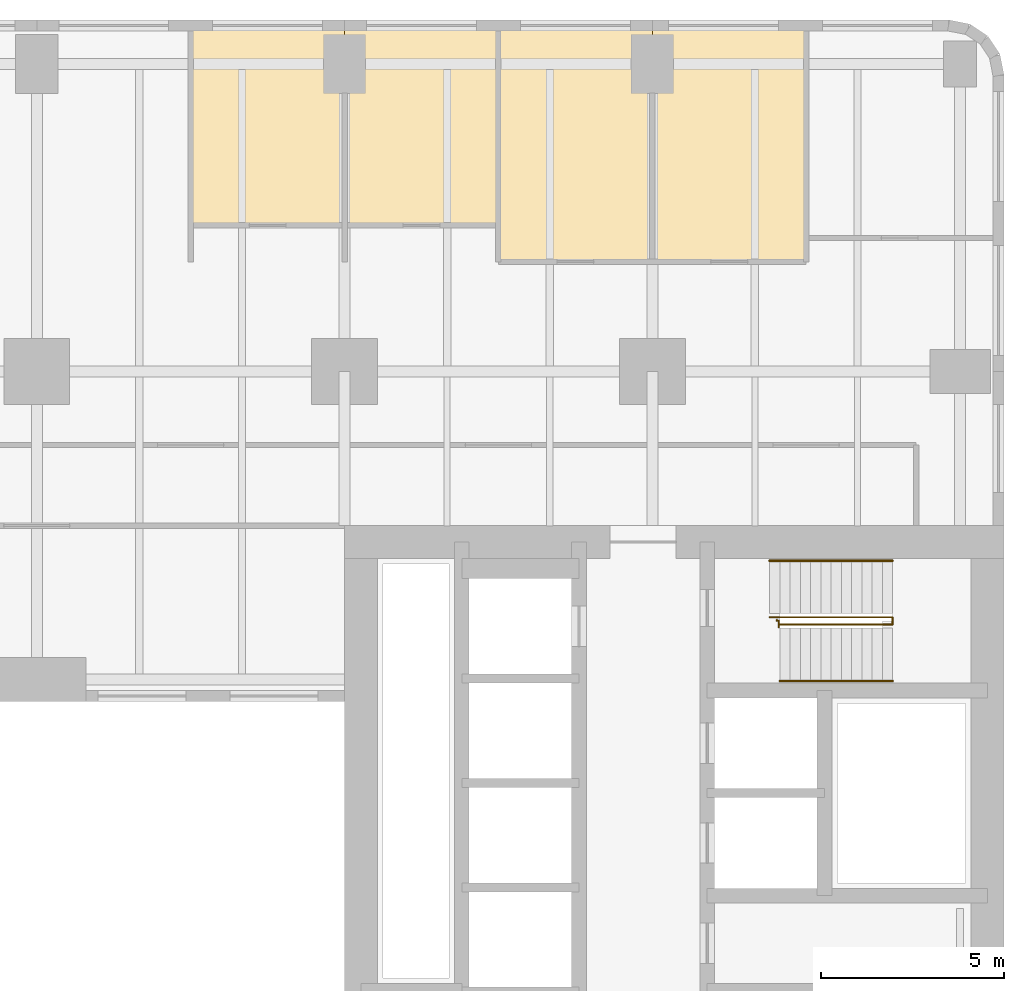
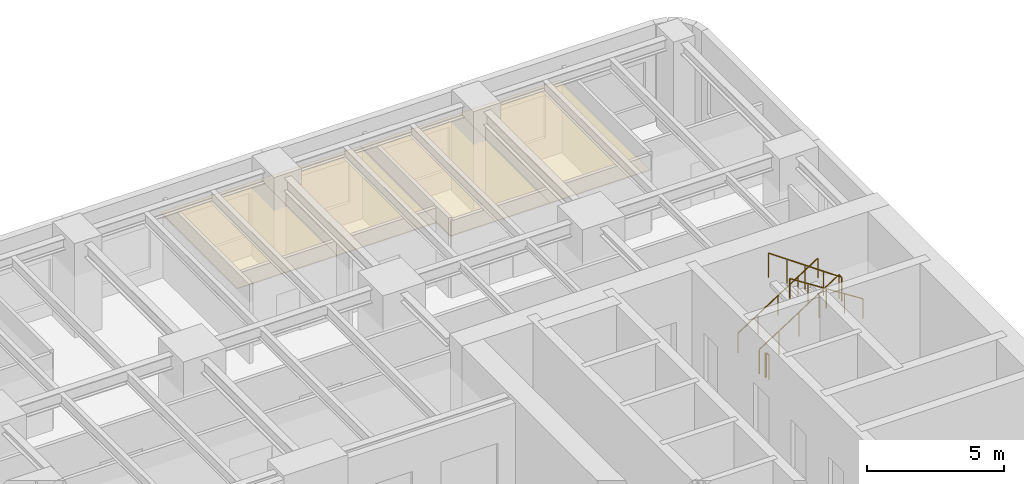
# One storey, part 14 of 14: 4 coverings, 4 railings.
"""IFC4 building model written with IfcOpenShell, lengths in metres."""

from ifc_helpers import new_model, si_unit, direction, frame, origin, origin_2d, place, context, subcontext, project, spatial, polyline, circle, outline, extrude, material, layer, layer_set, type_object, element, save


model = new_model("IFC4")

# Units and contexts
model_context = context("Model", 3, precision=1e-05, world=origin(), true_north=direction((0.0, 1.0)))
body_context = subcontext(model_context, "Body", "Model", "MODEL_VIEW")
ifc_project = project(units=[si_unit("LENGTHUNIT", "METRE"), si_unit("AREAUNIT", "SQUARE_METRE"), si_unit("VOLUMEUNIT", "CUBIC_METRE"), si_unit("PLANEANGLEUNIT", "RADIAN"), si_unit("MASSUNIT", "GRAM", prefix="KILO")], contexts=[model_context])

# Site, building, storey
site_placement = place(None, origin())
site = spatial("IfcSite", under=ifc_project, at=site_placement, CompositionType="ELEMENT")
building_placement = place(site_placement, origin())
building = spatial("IfcBuilding", under=site, at=building_placement, Name="Claustro Exchange Tower", CompositionType="ELEMENT")
storey_placement = place(building_placement, frame((0.0, 0.0, 32.39990234375)))
storey = spatial("IfcBuildingStorey", under=building, at=storey_placement, Name="L07", CompositionType="ELEMENT", Elevation=32.39990234375)

# Coverings
ifc_material_1 = material(Name="Gypsum board ceiling", Category="gypsum board")
ifc_layer = layer(ifc_material_1, 0.02490234375)
ifc_layer_set = layer_set([ifc_layer], Name="Gypsum board ceiling")
covering_type = type_object("IfcCoveringType", Name="CL2 plasterboard ceiling", PredefinedType="CEILING", material=ifc_layer_set)
covering_1_placement = place(storey_placement, frame((0.0, 0.0, 3.0)))
element("IfcCovering", 1, at=covering_1_placement, inside=storey, type_object=covering_type, Name="Ceiling CL2 L07-16", PredefinedType="CEILING", context=body_context, shape_type="SweptSolid", body=[
    extrude(outline(polyline([(42.0, 51.60009765625), (37.800048828125, 51.60009765625), (37.800048828125, 45.0), (42.0, 45.0), (42.0, 51.60009765625)])), origin(), (0.0, 0.0, 1.0), 0.025146484375),
])
covering_2_placement = place(storey_placement, frame((0.0, 0.0, 3.0)))
element("IfcCovering", 2, at=covering_2_placement, inside=storey, type_object=covering_type, Name="Ceiling CL2 L07-17", PredefinedType="CEILING", context=body_context, shape_type="SweptSolid", body=[
    extrude(outline(polyline([(46.199951171875, 51.60009765625), (42.0, 51.60009765625), (42.0, 45.0), (46.199951171875, 45.0), (46.199951171875, 51.60009765625)])), origin(), (0.0, 0.0, 1.0), 0.025146484375),
])
covering_3_placement = place(storey_placement, frame((0.0, 0.0, 3.0)))
element("IfcCovering", 3, at=covering_3_placement, inside=storey, type_object=covering_type, Name="Ceiling CL2 L07-20", PredefinedType="CEILING", context=body_context, shape_type="SweptSolid", body=[
    extrude(outline(polyline([(33.60009765625, 51.60009765625), (29.39990234375, 51.60009765625), (29.39990234375, 46.0), (33.60009765625, 46.0), (33.60009765625, 51.60009765625)])), origin(), (0.0, 0.0, 1.0), 0.025146484375),
])
covering_4_placement = place(storey_placement, frame((0.0, 0.0, 3.0)))
element("IfcCovering", 4, at=covering_4_placement, inside=storey, type_object=covering_type, Name="Ceiling CL2 L07-21", PredefinedType="CEILING", context=body_context, shape_type="SweptSolid", body=[
    extrude(outline(polyline([(37.800048828125, 51.60009765625), (33.60009765625, 51.60009765625), (33.60009765625, 46.0), (37.800048828125, 46.0), (37.800048828125, 51.60009765625)])), origin(), (0.0, 0.0, 1.0), 0.025146484375),
])

# Railings
ifc_material_2 = material(Name="Steel balustrade, painted", Category="steel")
railing_type_1 = type_object("IfcRailingType", Name="GR2 1100 steel stair guard", PredefinedType="GUARDRAIL", material=ifc_material_2)
railing_1_placement = place(storey_placement, frame((45.199951171875, 35.300048828125, 0.18017578125)))
element("IfcRailing", 5, at=railing_1_placement, inside=storey, type_object=railing_type_1, Name="Stair well guard GR2 stair STEB L07", PredefinedType="GUARDRAIL", context=body_context, shape_type="SweptSolid", body=[
    extrude(circle(Radius=0.02392578125, at=origin_2d()), frame((0.0, 0.0, 1.076171875), z_axis=(0.84119634759, 0.0, 0.540729789082), x_axis=(0.0, 1.0, 0.0)), (0.0, 0.0, 1.0), 3.994384765625),
    extrude(circle(Radius=0.02392578125, at=origin_2d()), frame((3.360107421875, 0.0, 3.23583984375), z_axis=(0.0, -1.0, 0.0), x_axis=(1.0, 0.0, 0.0)), (0.0, 0.0, 1.0), 0.199951171875),
    extrude(circle(Radius=0.02392578125, at=origin_2d()), frame((3.360107421875, -0.199951171875, 3.23583984375), z_axis=(-0.8187499073, 0.0, 0.574150319426), x_axis=(0.0, -1.0, 0.0)), (0.0, 0.0, 1.0), 3.761962890625),
    extrude(circle(Radius=0.02099609375, at=origin_2d()), origin(), (0.0, 0.0, 1.0), 1.052001953125),
    extrude(circle(Radius=0.02099609375, at=origin_2d()), frame((0.840087890625, 0.0, 0.5400390625)), (0.0, 0.0, 1.0), 1.052001953125),
    extrude(circle(Radius=0.02099609375, at=origin_2d()), frame((1.68017578125, 0.0, 1.080078125)), (0.0, 0.0, 1.0), 1.052001953125),
    extrude(circle(Radius=0.02099609375, at=origin_2d()), frame((2.52001953125, 0.0, 1.619873046875)), (0.0, 0.0, 1.0), 1.052001953125),
    extrude(circle(Radius=0.02099609375, at=origin_2d()), frame((3.360107421875, 0.0, 2.159912109375)), (0.0, 0.0, 1.0), 1.052001953125),
    extrude(circle(Radius=0.02099609375, at=origin_2d()), frame((3.360107421875, -0.199951171875, 2.159912109375)), (0.0, 0.0, 1.0), 1.052001953125),
    extrude(circle(Radius=0.02099609375, at=origin_2d()), frame((2.590087890625, -0.199951171875, 2.699951171875)), (0.0, 0.0, 1.0), 1.052001953125),
    extrude(circle(Radius=0.02099609375, at=origin_2d()), frame((1.820068359375, -0.199951171875, 3.23974609375)), (0.0, 0.0, 1.0), 1.052001953125),
    extrude(circle(Radius=0.02099609375, at=origin_2d()), frame((1.050048828125, -0.199951171875, 3.77978515625)), (0.0, 0.0, 1.0), 1.052001953125),
    extrude(circle(Radius=0.02099609375, at=origin_2d()), frame((0.280029296875, -0.199951171875, 4.31982421875)), (0.0, 0.0, 1.0), 1.052001953125),
])
railing_2_placement = place(storey_placement, frame((45.39990234375, 35.22998046875, 0.0)))
element("IfcRailing", 6, at=railing_2_placement, inside=storey, type_object=railing_type_1, Name="Stair guard GR2 STEB L07", PredefinedType="GUARDRAIL", context=body_context, shape_type="SweptSolid", body=[
    extrude(circle(Radius=0.02392578125, at=origin_2d()), frame((0.0, 0.0, 1.076171875), z_axis=(0.0, -1.0, 0.0), x_axis=(1.0, 0.0, 0.0)), (0.0, 0.0, 1.0), 0.030029296875),
    extrude(circle(Radius=0.02392578125, at=origin_2d()), frame((0.0, -0.030029296875, 1.076171875), z_axis=(1.0, 0.0, 0.0), x_axis=(0.0, 1.0, 0.0)), (0.0, 0.0, 1.0), 0.05517578125),
    extrude(circle(Radius=0.02392578125, at=origin_2d()), frame((0.05517578125, -0.030029296875, 1.076171875), z_axis=(0.0, -1.0, 0.0), x_axis=(1.0, 0.0, 0.0)), (0.0, 0.0, 1.0), 0.179931640625),
    extrude(circle(Radius=0.02099609375, at=origin_2d()), origin(), (0.0, 0.0, 1.0), 1.052001953125),
    extrude(circle(Radius=0.02099609375, at=origin_2d()), frame((0.0, -0.030029296875, 0.0)), (0.0, 0.0, 1.0), 1.052001953125),
    extrude(circle(Radius=0.02099609375, at=origin_2d()), frame((0.05517578125, -0.030029296875, 0.0)), (0.0, 0.0, 1.0), 1.052001953125),
    extrude(circle(Radius=0.02099609375, at=origin_2d()), frame((0.05517578125, -0.2099609375, 0.0)), (0.0, 0.0, 1.0), 1.052001953125),
])
ifc_material_3 = material(Name="Stainless steel tube", Category="steel")
railing_type_2 = type_object("IfcRailingType", Name="HR1 900 stair handrail", PredefinedType="HANDRAIL", material=ifc_material_3)
railing_3_placement = place(storey_placement, frame((45.199951171875, 36.840087890625, 0.18017578125)))
element("IfcRailing", 7, at=railing_3_placement, inside=storey, type_object=railing_type_2, Name="Handrail HR1 stair STEB L07", PredefinedType="HANDRAIL", context=body_context, shape_type="SweptSolid", body=[
    extrude(circle(Radius=0.02392578125, at=origin_2d()), frame((0.0, 0.0, 0.8759765625), z_axis=(0.84119634759, 0.0, 0.540729789082), x_axis=(0.0, 1.0, 0.0)), (0.0, 0.0, 1.0), 3.994384765625),
    extrude(circle(Radius=0.02099609375, at=origin_2d()), origin(), (0.0, 0.0, 1.0), 0.851806640625),
    extrude(circle(Radius=0.02099609375, at=origin_2d()), frame((0.840087890625, 0.0, 0.5400390625)), (0.0, 0.0, 1.0), 0.851806640625),
    extrude(circle(Radius=0.02099609375, at=origin_2d()), frame((1.68017578125, 0.0, 1.080078125)), (0.0, 0.0, 1.0), 0.851806640625),
    extrude(circle(Radius=0.02099609375, at=origin_2d()), frame((2.52001953125, 0.0, 1.619873046875)), (0.0, 0.0, 1.0), 0.851806640625),
    extrude(circle(Radius=0.02099609375, at=origin_2d()), frame((3.360107421875, 0.0, 2.159912109375)), (0.0, 0.0, 1.0), 0.851806640625),
])
railing_4_placement = place(storey_placement, frame((48.56005859375, 33.56005859375, 2.52001953125)))
element("IfcRailing", 8, at=railing_4_placement, inside=storey, type_object=railing_type_2, Name="Handrail HR1 stair STEB L07", PredefinedType="HANDRAIL", context=body_context, shape_type="SweptSolid", body=[
    extrude(circle(Radius=0.02392578125, at=origin_2d()), frame((0.0, 0.0, 0.8759765625), z_axis=(-0.84118714077, 0.0, 0.540744111576), x_axis=(0.0, -1.0, 0.0)), (0.0, 0.0, 1.0), 3.66162109375),
    extrude(circle(Radius=0.02099609375, at=origin_2d()), origin(), (0.0, 0.0, 1.0), 0.851806640625),
    extrude(circle(Radius=0.02099609375, at=origin_2d()), frame((-0.77001953125, 0.0, 0.4951171875)), (0.0, 0.0, 1.0), 0.851806640625),
    extrude(circle(Radius=0.02099609375, at=origin_2d()), frame((-1.5400390625, 0.0, 0.989990234375)), (0.0, 0.0, 1.0), 0.851806640625),
    extrude(circle(Radius=0.02099609375, at=origin_2d()), frame((-2.31005859375, 0.0, 1.48486328125)), (0.0, 0.0, 1.0), 0.851806640625),
    extrude(circle(Radius=0.02099609375, at=origin_2d()), frame((-3.080078125, 0.0, 1.97998046875)), (0.0, 0.0, 1.0), 0.851806640625),
])

save(model, "model.ifc")
